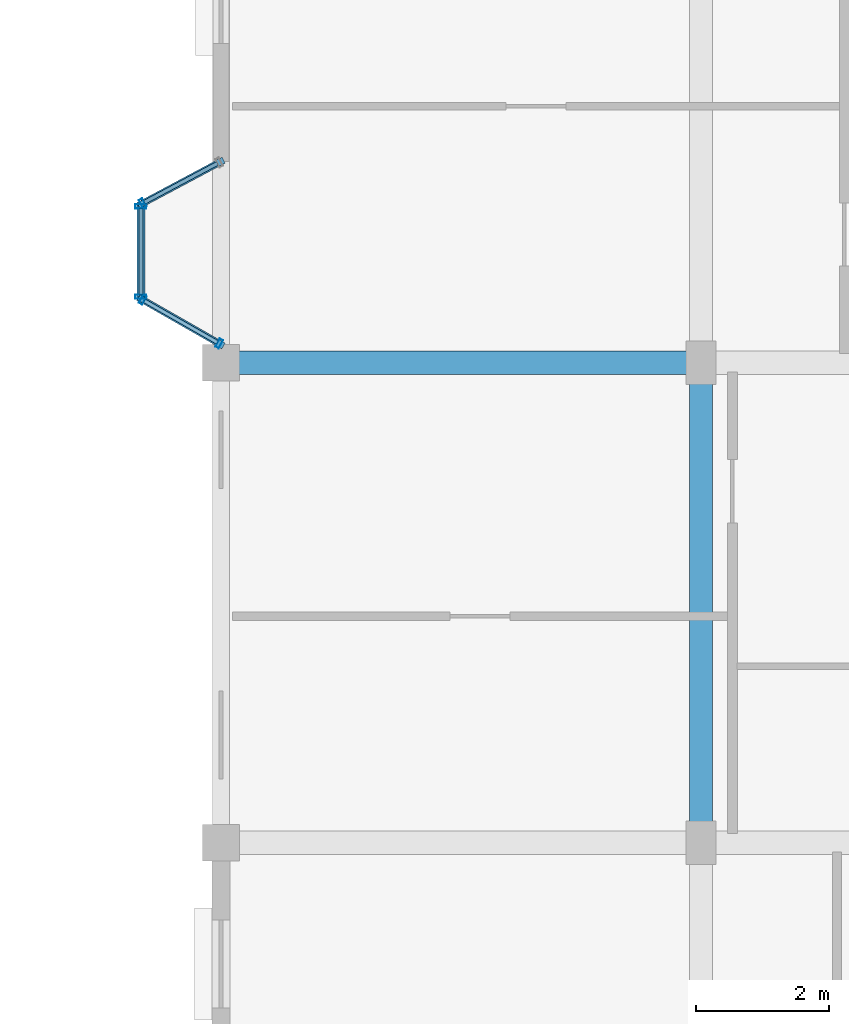
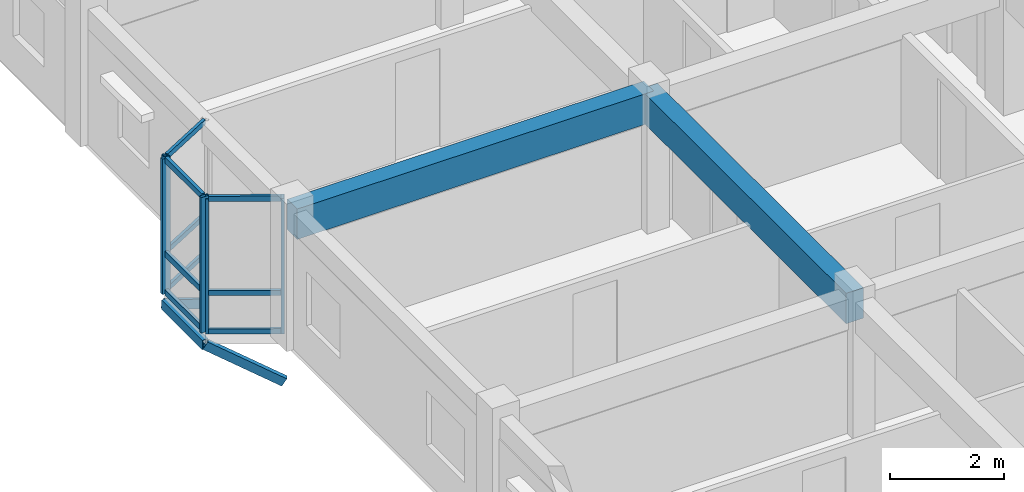
# One storey, part 27 of 77: 17 members, 2 beams, 3 elements without a shape of their own.
"""IFC4 building model written with IfcOpenShell, lengths in metres."""

from ifc_helpers import new_model, si_unit, direction, frame, origin, origin_2d, place, context, subcontext, project, spatial, rectangle, hollow_rectangle, extrude, material, layer, layer_set, material_profile, profile_set, type_object, element, aggregate, save


model = new_model("IFC4")

# Units and contexts
model_context = context("Model", 3, precision=1e-05, world=origin(), true_north=direction((0.0, 1.0)))
body_context = subcontext(model_context, "Body", "Model", "MODEL_VIEW")
ifc_project = project(units=[si_unit("LENGTHUNIT", "METRE"), si_unit("AREAUNIT", "SQUARE_METRE"), si_unit("VOLUMEUNIT", "CUBIC_METRE"), si_unit("PLANEANGLEUNIT", "RADIAN"), si_unit("MASSUNIT", "GRAM", prefix="KILO"), si_unit("THERMODYNAMICTEMPERATUREUNIT", "KELVIN"), si_unit("POWERUNIT", "WATT")], contexts=[model_context])

# Site, building, storey
site_placement = place(None, origin())
site = spatial("IfcSite", under=ifc_project, at=site_placement, CompositionType="ELEMENT")
building_placement = place(site_placement, origin())
building = spatial("IfcBuilding", under=site, at=building_placement, Name="Tavuni Mirador Residences", CompositionType="ELEMENT")
storey_placement = place(building_placement, frame((0.0, 0.0, 10.800048828125)))
storey = spatial("IfcBuildingStorey", under=building, at=storey_placement, Name="L03", CompositionType="ELEMENT", Elevation=10.800048828125)

# Beams
ifc_material_1 = material(Name="Precast concrete C40/50", Category="concrete")
ifc_material_profile_1 = material_profile(ifc_material_1, rectangle(XDim=0.35009765625, YDim=0.64990234375, at=origin_2d()), Name="PC 350x650", Category="concrete")
ifc_profile_set_1 = profile_set([ifc_material_profile_1], Name="Precast concrete C40/50")
beam_type = type_object("IfcBeamType", Name="BT-B650", PredefinedType="BEAM", material=ifc_profile_set_1)
for number, where, z_axis, x_axis, name in (
    (1, (90.0, 108.0, 2.56494140625), (1.0, 0.0, 0.0), (0.0, 1.0, 0.0), "BMX-BLK-D-L03-00-03"),
    (2, (97.199951171875, 100.800048828125, 2.56494140625), (0.0, 1.0, 0.0), (-1.0, 0.0, 0.0), "BMY-BLK-D-L03-01-02"),
):
    element("IfcBeam", number, at=place(storey_placement, frame(where, z_axis=z_axis, x_axis=x_axis)), inside=storey, type_object=beam_type, Name=name, PredefinedType="BEAM", context=body_context, shape_type="SweptSolid", body=[
        extrude(rectangle(XDim=0.35009765625, YDim=0.64990234375, at=origin_2d()), origin(), (0.0, 0.0, 1.0), 7.199951171875),
    ])

# Curtain wall, member
ifc_material_2 = material(Name="Anodised aluminium", Category="aluminium")
ifc_layer_1 = layer(ifc_material_2, 0.1650390625, Name="Anodised aluminium", Category="aluminium")
ifc_layer_set_1 = layer_set([ifc_layer_1], Name="Anodised aluminium")
curtain_wall_type_1 = type_object("IfcCurtainWallType", Name="CWT-MIR-A", PredefinedType="NOTDEFINED", material=ifc_layer_set_1)
curtain_wall_1_placement = place(storey_placement, origin())
curtain_wall_1 = element("IfcCurtainWall", 3, at=curtain_wall_1_placement, inside=storey, type_object=curtain_wall_type_1, Name="CW-MIR-D-W2-L03-M1", PredefinedType="NOTDEFINED")
ifc_material_profile_2 = material_profile(ifc_material_2, hollow_rectangle(XDim=0.06005859375, YDim=0.139892578125, WallThickness=0.00390625, at=origin_2d()), Name="ALU 60x140x4.0", Category="aluminium")
ifc_profile_set_2 = profile_set([ifc_material_profile_2], Name="Anodised aluminium")
member_type_1 = type_object("IfcMemberType", Name="CWM-140", PredefinedType="MULLION", material=ifc_profile_set_2)
member_1_placement = place(storey_placement, frame((88.826416015625, 110.39404296875, 0.0), z_axis=(0.0, 0.0, 1.0), x_axis=(-0.882352941175, -0.470588235296, 0.0)))
member_1 = element("IfcMember", 4, at=member_1_placement, type_object=member_type_1, Name="CW-01 mullion 2", PredefinedType="MULLION", context=body_context, shape_type="SweptSolid", body=[
    extrude(hollow_rectangle(XDim=0.06005859375, YDim=0.139892578125, WallThickness=0.00390625, at=origin_2d()), origin(), (0.0, 0.0, 1.0), 2.889892578125),
])

# Curtain wall, members
ifc_layer_2 = layer(ifc_material_2, 0.175048828125, Name="Anodised aluminium", Category="aluminium")
ifc_layer_set_2 = layer_set([ifc_layer_2], Name="Anodised aluminium")
curtain_wall_type_2 = type_object("IfcCurtainWallType", Name="CWT-MIR-C", PredefinedType="NOTDEFINED", material=ifc_layer_set_2)
curtain_wall_2_placement = place(storey_placement, origin())
curtain_wall_2 = element("IfcCurtainWall", 5, at=curtain_wall_2_placement, inside=storey, type_object=curtain_wall_type_2, Name="CW-MIR-D-W2-L03-M2", PredefinedType="NOTDEFINED")
member_2_placement = place(storey_placement, frame((88.826171875, 108.945068359375, 0.0), z_axis=(0.0, 0.0, 1.0), x_axis=(0.868465738194, -0.495749192217, 0.0)))
member_2 = element("IfcMember", 6, at=member_2_placement, type_object=member_type_1, Name="CW-03 mullion 1", PredefinedType="MULLION", context=body_context, shape_type="SweptSolid", body=[
    extrude(hollow_rectangle(XDim=0.06005859375, YDim=0.139892578125, WallThickness=0.00390625, at=origin_2d()), origin(), (0.0, 0.0, 1.0), 2.889892578125),
])
member_3_placement = place(storey_placement, frame((89.973876953125, 108.289794921875, 0.0), z_axis=(0.0, 0.0, 1.0), x_axis=(0.868465738194, -0.495749192217, 0.0)))
member_3 = element("IfcMember", 7, at=member_3_placement, type_object=member_type_1, Name="CW-03 mullion 2", PredefinedType="MULLION", context=body_context, shape_type="SweptSolid", body=[
    extrude(hollow_rectangle(XDim=0.06005859375, YDim=0.139892578125, WallThickness=0.00390625, at=origin_2d()), origin(), (0.0, 0.0, 1.0), 2.889892578125),
])

ifc_layer_3 = layer(ifc_material_2, 0.14990234375, Name="Anodised aluminium", Category="aluminium")
ifc_layer_set_3 = layer_set([ifc_layer_3], Name="Anodised aluminium")
curtain_wall_type_3 = type_object("IfcCurtainWallType", Name="CWT-MIR-B", PredefinedType="NOTDEFINED", material=ifc_layer_set_3)
curtain_wall_3_placement = place(storey_placement, origin())
curtain_wall_3 = element("IfcCurtainWall", 8, at=curtain_wall_3_placement, inside=storey, type_object=curtain_wall_type_3, Name="CW-MIR-D-W2-L03-MF", PredefinedType="NOTDEFINED")
ifc_material_profile_3 = material_profile(ifc_material_2, hollow_rectangle(XDim=0.06494140625, YDim=0.1650390625, WallThickness=0.00439453125, at=origin_2d()), Name="ALU 65x165x4.5", Category="aluminium")
ifc_profile_set_3 = profile_set([ifc_material_profile_3], Name="Anodised aluminium")
member_type_2 = type_object("IfcMemberType", Name="CWM-165", PredefinedType="MULLION", material=ifc_profile_set_3)
member_4_placement = place(storey_placement, frame((88.800048828125, 110.347412109375, 0.0), z_axis=(0.0, 0.0, 1.0), x_axis=(0.0, -1.0, 0.0)))
member_4 = element("IfcMember", 9, at=member_4_placement, type_object=member_type_2, Name="CW-02 mullion 1", PredefinedType="MULLION", context=body_context, shape_type="SweptSolid", body=[
    extrude(hollow_rectangle(XDim=0.06494140625, YDim=0.1650390625, WallThickness=0.00439453125, at=origin_2d()), origin(), (0.0, 0.0, 1.0), 2.889892578125),
])
member_5_placement = place(storey_placement, frame((88.800048828125, 108.992431640625, 0.0), z_axis=(0.0, 0.0, 1.0), x_axis=(0.0, -1.0, 0.0)))
member_5 = element("IfcMember", 10, at=member_5_placement, type_object=member_type_2, Name="CW-02 mullion 2", PredefinedType="MULLION", context=body_context, shape_type="SweptSolid", body=[
    extrude(hollow_rectangle(XDim=0.06494140625, YDim=0.1650390625, WallThickness=0.00439453125, at=origin_2d()), origin(), (0.0, 0.0, 1.0), 2.889892578125),
])

# Member
ifc_material_profile_4 = material_profile(ifc_material_2, hollow_rectangle(XDim=0.06005859375, YDim=0.110107421875, WallThickness=0.00390625, at=origin_2d()), Name="ALU 60x110x4.0", Category="aluminium")
ifc_profile_set_4 = profile_set([ifc_material_profile_4], Name="Anodised aluminium")
member_type_3 = type_object("IfcMemberType", Name="CWT-110", PredefinedType="USERDEFINED", material=ifc_profile_set_4)
member_6_placement = place(storey_placement, frame((89.947021484375, 110.99169921875, 0.030029296875), z_axis=(-0.882342039492, -0.470608675382, 0.0), x_axis=(0.470608675382, -0.882342039492, 0.0)))
member_6 = element("IfcMember", 11, at=member_6_placement, type_object=member_type_3, Name="CW-01 transom 1.1", ObjectType="TRANSOM", PredefinedType="USERDEFINED", context=body_context, shape_type="SweptSolid", body=[
    extrude(hollow_rectangle(XDim=0.06005859375, YDim=0.110107421875, WallThickness=0.00390625, at=origin_2d()), origin(), (0.0, 0.0, 1.0), 1.239990234375),
])

member_7_placement = place(storey_placement, frame((89.947021484375, 110.99169921875, 0.849853515625), z_axis=(-0.882342039492, -0.470608675382, 0.0), x_axis=(0.470608675382, -0.882342039492, 0.0)))
member_7 = element("IfcMember", 12, at=member_7_placement, type_object=member_type_3, Name="CW-01 transom 1.2", ObjectType="TRANSOM", PredefinedType="USERDEFINED", context=body_context, shape_type="SweptSolid", body=[
    extrude(hollow_rectangle(XDim=0.06005859375, YDim=0.110107421875, WallThickness=0.00390625, at=origin_2d()), origin(), (0.0, 0.0, 1.0), 1.239990234375),
])

member_8_placement = place(storey_placement, frame((89.947021484375, 110.99169921875, 2.85986328125), z_axis=(-0.882342039492, -0.470608675382, 0.0), x_axis=(0.470608675382, -0.882342039492, 0.0)))
member_8 = element("IfcMember", 13, at=member_8_placement, type_object=member_type_3, Name="CW-01 transom 1.3", ObjectType="TRANSOM", PredefinedType="USERDEFINED", context=body_context, shape_type="SweptSolid", body=[
    extrude(hollow_rectangle(XDim=0.06005859375, YDim=0.110107421875, WallThickness=0.00390625, at=origin_2d()), origin(), (0.0, 0.0, 1.0), 1.239990234375),
])

aggregate(curtain_wall_1, [member_1, member_6, member_7, member_8])

member_9_placement = place(storey_placement, frame((88.85205078125, 108.93017578125, 0.030029296875), z_axis=(0.868504955205, -0.49568048457, 0.0), x_axis=(0.49568048457, 0.868504955205, 0.0)))
member_9 = element("IfcMember", 14, at=member_9_placement, type_object=member_type_3, Name="CW-03 transom 1.1", ObjectType="TRANSOM", PredefinedType="USERDEFINED", context=body_context, shape_type="SweptSolid", body=[
    extrude(hollow_rectangle(XDim=0.06005859375, YDim=0.110107421875, WallThickness=0.00390625, at=origin_2d()), origin(), (0.0, 0.0, 1.0), 1.261962890625),
])

member_10_placement = place(storey_placement, frame((88.85205078125, 108.93017578125, 0.849853515625), z_axis=(0.868504955205, -0.49568048457, 0.0), x_axis=(0.49568048457, 0.868504955205, 0.0)))
member_10 = element("IfcMember", 15, at=member_10_placement, type_object=member_type_3, Name="CW-03 transom 1.2", ObjectType="TRANSOM", PredefinedType="USERDEFINED", context=body_context, shape_type="SweptSolid", body=[
    extrude(hollow_rectangle(XDim=0.06005859375, YDim=0.110107421875, WallThickness=0.00390625, at=origin_2d()), origin(), (0.0, 0.0, 1.0), 1.261962890625),
])

member_11_placement = place(storey_placement, frame((88.85205078125, 108.93017578125, 2.85986328125), z_axis=(0.868504955205, -0.49568048457, 0.0), x_axis=(0.49568048457, 0.868504955205, 0.0)))
member_11 = element("IfcMember", 16, at=member_11_placement, type_object=member_type_3, Name="CW-03 transom 1.3", ObjectType="TRANSOM", PredefinedType="USERDEFINED", context=body_context, shape_type="SweptSolid", body=[
    extrude(hollow_rectangle(XDim=0.06005859375, YDim=0.110107421875, WallThickness=0.00390625, at=origin_2d()), origin(), (0.0, 0.0, 1.0), 1.261962890625),
])

aggregate(curtain_wall_2, [member_2, member_3, member_9, member_10, member_11])

ifc_material_profile_5 = material_profile(ifc_material_2, hollow_rectangle(XDim=0.06494140625, YDim=0.125, WallThickness=0.00439453125, at=origin_2d()), Name="ALU 65x125x4.5", Category="aluminium")
ifc_profile_set_5 = profile_set([ifc_material_profile_5], Name="Anodised aluminium")
member_type_4 = type_object("IfcMemberType", Name="CWT-125", PredefinedType="USERDEFINED", material=ifc_profile_set_5)
member_12_placement = place(storey_placement, frame((88.800048828125, 110.31494140625, 0.032470703125), z_axis=(0.0, -1.0, 0.0), x_axis=(1.0, 0.0, 0.0)))
member_12 = element("IfcMember", 17, at=member_12_placement, type_object=member_type_4, Name="CW-02 transom 1.1", ObjectType="TRANSOM", PredefinedType="USERDEFINED", context=body_context, shape_type="SweptSolid", body=[
    extrude(hollow_rectangle(XDim=0.06494140625, YDim=0.125, WallThickness=0.00439453125, at=origin_2d()), origin(), (0.0, 0.0, 1.0), 1.2900390625),
])

member_13_placement = place(storey_placement, frame((88.800048828125, 110.31494140625, 0.849853515625), z_axis=(0.0, -1.0, 0.0), x_axis=(1.0, 0.0, 0.0)))
member_13 = element("IfcMember", 18, at=member_13_placement, type_object=member_type_4, Name="CW-02 transom 1.2", ObjectType="TRANSOM", PredefinedType="USERDEFINED", context=body_context, shape_type="SweptSolid", body=[
    extrude(hollow_rectangle(XDim=0.06494140625, YDim=0.125, WallThickness=0.00439453125, at=origin_2d()), origin(), (0.0, 0.0, 1.0), 1.2900390625),
])

member_14_placement = place(storey_placement, frame((88.800048828125, 110.31494140625, 2.857421875), z_axis=(0.0, -1.0, 0.0), x_axis=(1.0, 0.0, 0.0)))
member_14 = element("IfcMember", 19, at=member_14_placement, type_object=member_type_4, Name="CW-02 transom 1.3", ObjectType="TRANSOM", PredefinedType="USERDEFINED", context=body_context, shape_type="SweptSolid", body=[
    extrude(hollow_rectangle(XDim=0.06494140625, YDim=0.125, WallThickness=0.00439453125, at=origin_2d()), origin(), (0.0, 0.0, 1.0), 1.2900390625),
])

aggregate(curtain_wall_3, [member_4, member_5, member_12, member_13, member_14])

# Members
ifc_material_3 = material(Name="Structural steel S355", Category="steel")
ifc_material_profile_6 = material_profile(ifc_material_3, hollow_rectangle(XDim=0.10009765625, YDim=0.179931640625, WallThickness=0.008056640625, at=origin_2d()), Name="RHS 180x100x8.0", Category="steel")
ifc_profile_set_6 = profile_set([ifc_material_profile_6], Name="Structural steel S355")
member_type_5 = type_object("IfcMemberType", Name="MT-BR-RHS180", PredefinedType="BRACE", material=ifc_profile_set_6)
member_15_placement = place(storey_placement, frame((90.0, 108.27490234375, -1.050048828125), z_axis=(-0.753903905175, 0.430407804256, 0.496364809185), x_axis=(-0.495796390047, -0.868438794398, 0.0)))
element("IfcMember", 20, at=member_15_placement, inside=storey, type_object=member_type_5, Name="MBRK-MIR-D-W2-L03-1", PredefinedType="BRACE", context=body_context, shape_type="SweptSolid", body=[
    extrude(hollow_rectangle(XDim=0.10009765625, YDim=0.179931640625, WallThickness=0.008056640625, at=origin_2d()), origin(), (0.0, 0.0, 1.0), 1.591552734375),
])
member_16_placement = place(storey_placement, frame((90.0, 111.02001953125, -1.050048828125), z_axis=(-0.762920992699, -0.406994678099, 0.502301593565), x_axis=(0.470681405175, -0.882303244255, 0.0)))
element("IfcMember", 21, at=member_16_placement, inside=storey, type_object=member_type_5, Name="MBRK-MIR-D-W2-L03-2", PredefinedType="BRACE", context=body_context, shape_type="SweptSolid", body=[
    extrude(hollow_rectangle(XDim=0.10009765625, YDim=0.179931640625, WallThickness=0.008056640625, at=origin_2d()), origin(), (0.0, 0.0, 1.0), 1.57275390625),
])
ifc_material_profile_7 = material_profile(ifc_material_3, hollow_rectangle(XDim=0.1201171875, YDim=0.199951171875, WallThickness=0.010009765625, at=origin_2d()), Name="RHS 200x120x10.0", Category="steel")
ifc_profile_set_7 = profile_set([ifc_material_profile_7], Name="Structural steel S355")
member_type_6 = type_object("IfcMemberType", Name="MT-ST-RHS200", PredefinedType="STRUT", material=ifc_profile_set_7)
member_17_placement = place(storey_placement, frame((88.800048828125, 108.9599609375, -0.260009765625), z_axis=(0.0, 1.0, 0.0), x_axis=(-1.0, 0.0, 0.0)))
element("IfcMember", 22, at=member_17_placement, inside=storey, type_object=member_type_6, Name="MRIM-MIR-D-W2-L03", PredefinedType="STRUT", context=body_context, shape_type="SweptSolid", body=[
    extrude(hollow_rectangle(XDim=0.1201171875, YDim=0.199951171875, WallThickness=0.010009765625, at=origin_2d()), origin(), (0.0, 0.0, 1.0), 1.419921875),
])

save(model, "model.ifc")
